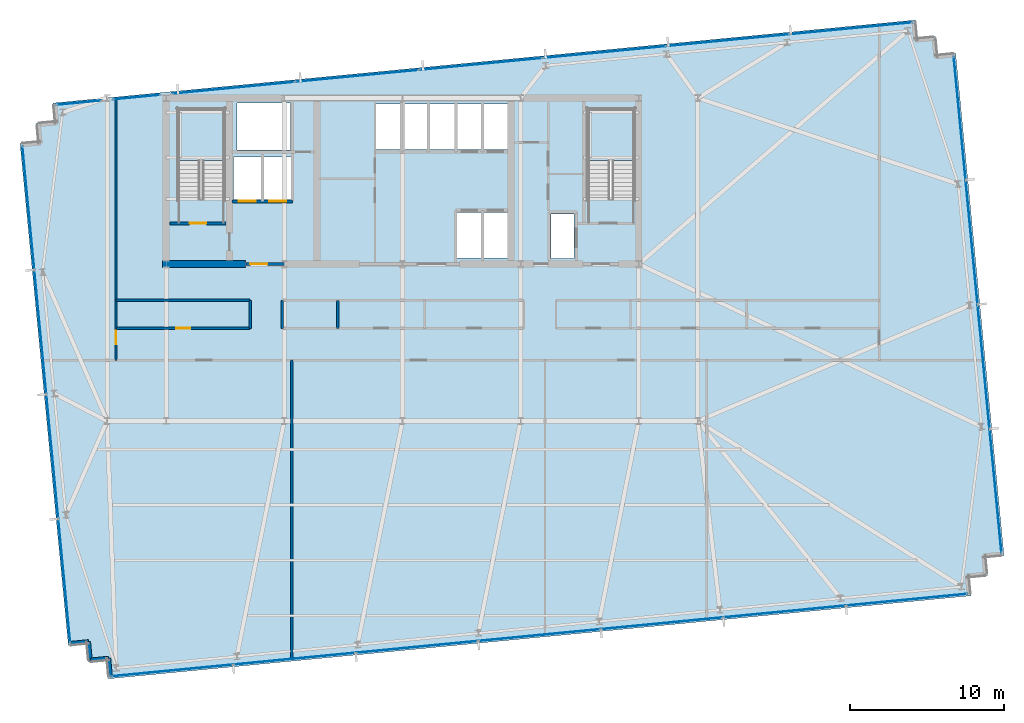
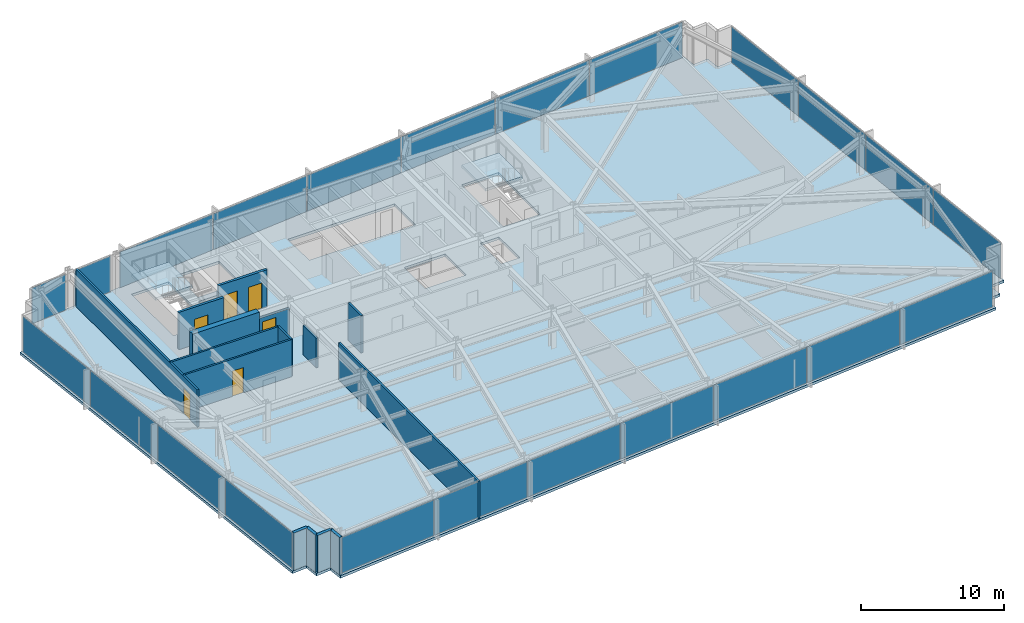
# One storey, part 24 of 32: 23 plates, 15 walls, 6 doors, 3 slabs, 6 openings, 8 elements without a shape of their own.
"""IFC4 building model written with IfcOpenShell, lengths in metres."""

import ifcopenshell
import ifcopenshell.guid

model = None  # the IFC model being written
_history = None  # IfcOwnerHistory: only IFC2X3 demands one
_inside = {}  # id of a spatial element -> (the spatial element, [elements in it])
_under = {}  # id of a project, library or spatial element -> (it, [spatial elements below it])
_declared = {}  # id of a project -> (the project, [libraries it declares])
_typed = {}  # id of a type object -> (the type object, [elements of that type])
_made_of = {}  # id of a material, layer set ... -> (it, [elements and type objects made of it])


def new_model(schema):
    """Start an empty IFC model of exactly this schema.

    Asked for "IFC4X3", IfcOpenShell would pick the latest addendum, in which some entities
    have other attributes; the version numbers below select the first issue.
    IFC2X3 requires an IfcOwnerHistory on every rooted entity: one is made here for all.
    """
    global model, _history
    if schema == "IFC4X3":
        model = ifcopenshell.file(schema_version=(4, 3, 0, 0))
    else:
        model = ifcopenshell.file(schema=schema)
    _inside.clear()
    _under.clear()
    _declared.clear()
    _typed.clear()
    _made_of.clear()
    _history = None
    if model.schema == "IFC2X3":
        org = make("IfcOrganization", Name="unknown")
        user = make(
            "IfcPersonAndOrganization",
            ThePerson=make("IfcPerson", FamilyName="unknown"),
            TheOrganization=org,
        )
        app = make(
            "IfcApplication",
            ApplicationDeveloper=org,
            Version="unknown",
            ApplicationFullName="unknown",
            ApplicationIdentifier="unknown",
        )
        _history = make(
            "IfcOwnerHistory",
            OwningUser=user,
            OwningApplication=app,
            ChangeAction="ADDED",
            CreationDate=0,
        )
    return model


def make(cls, **values):
    """One entity of the class cls with the attributes given. An attribute that is None is left unset."""
    return model.create_entity(
        cls, **{name: value for name, value in values.items() if value is not None}
    )


def rooted(cls, **values):
    """An entity with a GlobalId (a new one), such as an element, a storey or a relation."""
    return make(cls, GlobalId=ifcopenshell.guid.new(), OwnerHistory=_history, **values)


def si_unit(unit_type, name, prefix=None):
    """IfcSIUnit, for example si_unit("LENGTHUNIT", "METRE", prefix="MILLI")."""
    return make("IfcSIUnit", UnitType=unit_type, Prefix=prefix, Name=name)


def assignment(units):
    """IfcUnitAssignment: the units of a project."""
    return None if units is None else make("IfcUnitAssignment", Units=units)


def point(xyz):
    """IfcCartesianPoint."""
    return None if xyz is None else make("IfcCartesianPoint", Coordinates=xyz)


def direction(xyz):
    """IfcDirection."""
    return None if xyz is None else make("IfcDirection", DirectionRatios=xyz)


def frame(location, z_axis=None, x_axis=None):
    """IfcAxis2Placement3D, a coordinate frame: its origin and axes. An axis left out is left unset."""
    return make(
        "IfcAxis2Placement3D",
        Location=point(location),
        Axis=direction(z_axis),
        RefDirection=direction(x_axis),
    )


def frame_2d(location, x_axis=None):
    """IfcAxis2Placement2D, a coordinate frame in the plane: its origin and x axis."""
    return make(
        "IfcAxis2Placement2D", Location=point(location), RefDirection=direction(x_axis)
    )


def origin():
    """The frame at (0, 0, 0) with its axes left unset."""
    return frame((0.0, 0.0, 0.0))


def origin_2d():
    """The frame at (0, 0) in the plane with its x axis left unset."""
    return frame_2d((0.0, 0.0))


def place(relative_to, where):
    """IfcLocalPlacement: puts the frame where relative to a parent placement (None: the world)."""
    return make(
        "IfcLocalPlacement", PlacementRelTo=relative_to, RelativePlacement=where
    )


def context(
    kind, dimensions, precision=None, world=None, true_north=None, identifier=None
):
    """IfcGeometricRepresentationContext, for example the 3D "Model" context."""
    return make(
        "IfcGeometricRepresentationContext",
        ContextIdentifier=identifier,
        ContextType=kind,
        CoordinateSpaceDimension=dimensions,
        Precision=precision,
        WorldCoordinateSystem=world,
        TrueNorth=true_north,
    )


def subcontext(parent, identifier, kind, view, scale=None):
    """IfcGeometricRepresentationSubContext, for example "Body" below "Model"."""
    return make(
        "IfcGeometricRepresentationSubContext",
        ContextIdentifier=identifier,
        ContextType=kind,
        ParentContext=parent,
        TargetScale=scale,
        TargetView=view,
    )


def project(units=None, contexts=None):
    """IfcProject with its units and contexts."""
    return rooted(
        "IfcProject",
        Name="project",
        RepresentationContexts=contexts,
        UnitsInContext=assignment(units),
    )


def spatial(cls, under=None, at=None, **own):
    """A site, building, storey or space (cls), placed at a placement, below another one or the project."""
    s = rooted(cls, ObjectPlacement=at, **own)
    if under is not None:
        _under.setdefault(under.id(), (under, []))[1].append(s)
    return s


def polyline(points):
    """IfcPolyline through the points."""
    return make("IfcPolyline", Points=[point(p) for p in points])


def profile(cls, at=None, kind="AREA", **sizes):
    """A parametric profile (cls). Its sizes go by their IFC names, for example OverallWidth=200.0."""
    return make(cls, ProfileType=kind, Position=at, **sizes)


def rectangle(**sizes):
    """IfcRectangleProfileDef."""
    return profile("IfcRectangleProfileDef", **sizes)


def outline(outer, holes=None, kind="AREA"):
    """IfcArbitraryClosedProfileDef: a profile drawn as a closed curve; with holes, ...WithVoids."""
    if holes is None:
        return make("IfcArbitraryClosedProfileDef", ProfileType=kind, OuterCurve=outer)
    return make(
        "IfcArbitraryProfileDefWithVoids",
        ProfileType=kind,
        OuterCurve=outer,
        InnerCurves=holes,
    )


def extrude(swept, where, along, depth):
    """IfcExtrudedAreaSolid: the profile swept, set in the frame where, extruded along a direction by depth."""
    return make(
        "IfcExtrudedAreaSolid",
        SweptArea=swept,
        Position=where,
        ExtrudedDirection=direction(along),
        Depth=depth,
    )


def shape(context_of_items, identifier, shape_type, items):
    """IfcShapeRepresentation: the items that make up one representation, for example the "Body"."""
    return make(
        "IfcShapeRepresentation",
        ContextOfItems=context_of_items,
        RepresentationIdentifier=identifier,
        RepresentationType=shape_type,
        Items=items,
    )


def material(Name=None, Category=None):
    """IfcMaterial."""
    return make("IfcMaterial", Name=Name, Category=Category)


def layer(
    of_material, thickness, ventilated=None, Name=None, Category=None, Priority=None
):
    """IfcMaterialLayer: one layer of a wall or slab, of a material (None: an air gap)."""
    return make(
        "IfcMaterialLayer",
        Material=of_material,
        LayerThickness=thickness,
        IsVentilated=ventilated,
        Name=Name,
        Category=Category,
        Priority=Priority,
    )


def layer_set(layers, Name=None):
    """IfcMaterialLayerSet."""
    return make("IfcMaterialLayerSet", MaterialLayers=layers, LayerSetName=Name)


def made_of(thing, what):
    """Note that an element or type object is made of a material, layer set ...; save() writes the relation."""
    if what is not None:
        _made_of.setdefault(what.id(), (what, []))[1].append(thing)
    return thing


def type_object(cls, material=None, **own):
    """A type object (cls), such as IfcWallType, which elements share."""
    return made_of(rooted(cls, **own), material)


def element(
    cls,
    number,
    at=None,
    inside=None,
    cuts=None,
    type_object=None,
    material=None,
    context=None,
    identifier="Body",
    shape_type=None,
    held_by="IfcProductDefinitionShape",
    body=None,
    shapes=None,
    **own,
):
    """One element of the class cls, such as IfcWall. Its Tag is "e" and its number.

    at: its placement. inside: the storey or other place that contains it. cuts: it is an
    opening in that element (IfcRelVoidsElement). A single representation is given by context,
    identifier, shape_type and body (its items); several are given by shapes. held_by: the class
    of the entity that holds the representations. save() writes the other relations.
    """
    e = rooted(cls, Tag="e%d" % number, ObjectPlacement=at, **own)
    if body is not None:
        shapes = [shape(context, identifier, shape_type, body)]
    if shapes is not None:
        e.Representation = make(held_by, Representations=shapes)
    if inside is not None:
        _inside.setdefault(inside.id(), (inside, []))[1].append(e)
    if cuts is not None:
        rooted(
            "IfcRelVoidsElement", RelatingBuildingElement=cuts, RelatedOpeningElement=e
        )
    if type_object is not None:
        _typed.setdefault(type_object.id(), (type_object, []))[1].append(e)
    return made_of(e, material)


def fill(opening, filler):
    """IfcRelFillsElement: the door or window that sits in an opening."""
    return rooted(
        "IfcRelFillsElement",
        RelatingOpeningElement=opening,
        RelatedBuildingElement=filler,
    )


def aggregate(whole, parts):
    """IfcRelAggregates: a whole, such as a stair, and the parts it consists of."""
    return rooted("IfcRelAggregates", RelatingObject=whole, RelatedObjects=parts)


def save(model, path):
    """Write the relations noted so far, then the file.

    IfcRelAggregates (storeys below a building ...), IfcRelContainedInSpatialStructure (elements
    in a storey), IfcRelDefinesByType, IfcRelAssociatesMaterial and IfcRelDeclares: one each for
    every whole, place, type object, material and project.
    """
    for whole, parts in _under.values():
        aggregate(whole, parts)
    for where, things in _inside.values():
        rooted(
            "IfcRelContainedInSpatialStructure",
            RelatedElements=things,
            RelatingStructure=where,
        )
    for kind, things in _typed.values():
        rooted("IfcRelDefinesByType", RelatedObjects=things, RelatingType=kind)
    for what, things in _made_of.values():
        rooted("IfcRelAssociatesMaterial", RelatedObjects=things, RelatingMaterial=what)
    for by, libraries in _declared.values():
        rooted("IfcRelDeclares", RelatingContext=by, RelatedDefinitions=libraries)
    model.write(path)


model = new_model("IFC4")

# Units and contexts
model_context = context("Model", 3, precision=1e-05, world=origin(), true_north=direction((0.0, 1.0)))
body_context = subcontext(model_context, "Body", "Model", "MODEL_VIEW")
ifc_project = project(units=[si_unit("LENGTHUNIT", "METRE"), si_unit("AREAUNIT", "SQUARE_METRE"), si_unit("VOLUMEUNIT", "CUBIC_METRE"), si_unit("PLANEANGLEUNIT", "RADIAN"), si_unit("MASSUNIT", "GRAM", prefix="KILO")], contexts=[model_context])

# Site, building, storey
site_placement = place(None, origin())
site = spatial("IfcSite", under=ifc_project, at=site_placement, CompositionType="ELEMENT")
building_placement = place(site_placement, origin())
building = spatial("IfcBuilding", under=site, at=building_placement, Name="Yelkora Congress Tower", CompositionType="ELEMENT")
storey_placement = place(building_placement, frame((0.0, 0.0, 120.300048828125)))
storey = spatial("IfcBuildingStorey", under=building, at=storey_placement, Name="L32", CompositionType="ELEMENT", Elevation=120.300048828125)

# Curtain wall, plates
ifc_material_1 = material(Name="Anodised aluminium and insulated glass", Category="aluminium")
curtain_wall_type = type_object("IfcCurtainWallType", Name="CW-SYS-B2", PredefinedType="NOTDEFINED", material=ifc_material_1)
curtain_wall_1_placement = place(storey_placement, origin())
curtain_wall_1 = element("IfcCurtainWall", 1, at=curtain_wall_1_placement, inside=storey, type_object=curtain_wall_type, Name="L32 Unitised Curtain Wall 5", PredefinedType="NOTDEFINED")
ifc_material_2 = material(Name="Solar-control low-E glass unit B2", Category="glass")
ifc_layer_1 = layer(ifc_material_2, 0.0380859375)
ifc_layer_set_1 = layer_set([ifc_layer_1], Name="Solar-control low-E glass unit B2")
plate_type = type_object("IfcPlateType", Name="PLT-PN-B2", PredefinedType="CURTAIN_PANEL", material=ifc_layer_set_1)
plate_1_placement = place(storey_placement, frame((16.41650390625, 14.820068359375, 0.06494140625), z_axis=(0.0, 0.0, 1.0), x_axis=(-0.095842541913, 0.995396507508, 0.0)))
plate_1 = element("IfcPlate", 2, at=plate_1_placement, type_object=plate_type, Name="CW-B2 panel 1.1", PredefinedType="CURTAIN_PANEL", context=body_context, shape_type="SweptSolid", body=[
    extrude(rectangle(XDim=8.02490234375, YDim=0.0380859375, at=origin_2d()), origin(), (0.0, 0.0, 1.0), 3.050048828125),
])
plate_2_placement = place(storey_placement, frame((15.638916015625, 22.895263671875, 0.06494140625), z_axis=(0.0, 0.0, 1.0), x_axis=(-0.095842541913, 0.995396507508, 0.0)))
plate_2 = element("IfcPlate", 3, at=plate_2_placement, type_object=plate_type, Name="CW-B2 panel 2.1", PredefinedType="CURTAIN_PANEL", context=body_context, shape_type="SweptSolid", body=[
    extrude(rectangle(XDim=8.06005859375, YDim=0.0380859375, at=origin_2d()), origin(), (0.0, 0.0, 1.0), 3.050048828125),
])
plate_3_placement = place(storey_placement, frame((14.859619140625, 30.98779296875, 0.06494140625), z_axis=(0.0, 0.0, 1.0), x_axis=(-0.095842541913, 0.995396507508, 0.0)))
plate_3 = element("IfcPlate", 4, at=plate_3_placement, type_object=plate_type, Name="CW-B2 panel 3.1", PredefinedType="CURTAIN_PANEL", context=body_context, shape_type="SweptSolid", body=[
    extrude(rectangle(XDim=8.06005859375, YDim=0.0380859375, at=origin_2d()), origin(), (0.0, 0.0, 1.0), 3.050048828125),
])
plate_4_placement = place(storey_placement, frame((14.082275390625, 39.06298828125, 0.06494140625), z_axis=(0.0, 0.0, 1.0), x_axis=(-0.095842541913, 0.995396507508, 0.0)))
plate_4 = element("IfcPlate", 5, at=plate_4_placement, type_object=plate_type, Name="CW-B2 panel 4.1", PredefinedType="CURTAIN_PANEL", context=body_context, shape_type="SweptSolid", body=[
    extrude(rectangle(XDim=8.02490234375, YDim=0.0380859375, at=origin_2d()), origin(), (0.0, 0.0, 1.0), 3.050048828125),
])
aggregate(curtain_wall_1, [plate_1, plate_2, plate_3, plate_4])

# Curtain wall, plate
curtain_wall_2_placement = place(storey_placement, origin())
curtain_wall_2 = element("IfcCurtainWall", 6, at=curtain_wall_2_placement, inside=storey, type_object=curtain_wall_type, Name="L32 Unitised Curtain Wall 10 (1)", PredefinedType="NOTDEFINED")
plate_5_placement = place(storey_placement, frame((17.35888671875, 45.89111328125, 0.06494140625), z_axis=(0.0, 0.0, 1.0), x_axis=(0.99539681521, 0.095839346142, 0.0)))
plate_5 = element("IfcPlate", 7, at=plate_5_placement, type_object=plate_type, Name="CW-B2 panel 1.1", PredefinedType="CURTAIN_PANEL", context=body_context, shape_type="SweptSolid", body=[
    extrude(rectangle(XDim=2.89208984375, YDim=0.0380859375, at=origin_2d()), origin(), (0.0, 0.0, 1.0), 3.050048828125),
])
aggregate(curtain_wall_2, [plate_5])

curtain_wall_3_placement = place(storey_placement, origin())
curtain_wall_3 = element("IfcCurtainWall", 8, at=curtain_wall_3_placement, inside=storey, type_object=curtain_wall_type, Name="L32 Unitised Curtain Wall 10 (2)", PredefinedType="NOTDEFINED")
plate_6_placement = place(storey_placement, frame((21.1201171875, 46.253173828125, 0.06494140625), z_axis=(0.0, 0.0, 1.0), x_axis=(0.99539661748, 0.095841399764, 0.0)))
plate_6 = element("IfcPlate", 9, at=plate_6_placement, type_object=plate_type, Name="CW-B2 panel 1.1", PredefinedType="CURTAIN_PANEL", context=body_context, shape_type="SweptSolid", body=[
    extrude(rectangle(XDim=3.05078125, YDim=0.0380859375, at=origin_2d()), origin(), (0.0, 0.0, 1.0), 3.050048828125),
])
aggregate(curtain_wall_3, [plate_6])

# Curtain wall, plates
curtain_wall_4_placement = place(storey_placement, origin())
curtain_wall_4 = element("IfcCurtainWall", 10, at=curtain_wall_4_placement, inside=storey, type_object=curtain_wall_type, Name="L32 Unitised Curtain Wall 10 (3)", PredefinedType="NOTDEFINED")
plate_7_placement = place(storey_placement, frame((27.409423828125, 46.858642578125, 0.06494140625), z_axis=(0.0, 0.0, 1.0), x_axis=(0.995396344153, 0.095844238468, 0.0)))
plate_7 = element("IfcPlate", 11, at=plate_7_placement, type_object=plate_type, Name="CW-B2 panel 1.1", PredefinedType="CURTAIN_PANEL", context=body_context, shape_type="SweptSolid", body=[
    extrude(rectangle(XDim=7.97216796875, YDim=0.0380859375, at=origin_2d()), origin(), (0.0, 0.0, 1.0), 3.050048828125),
])
plate_8_placement = place(storey_placement, frame((35.431884765625, 47.631103515625, 0.06494140625), z_axis=(0.0, 0.0, 1.0), x_axis=(0.995396344153, 0.095844238468, 0.0)))
plate_8 = element("IfcPlate", 12, at=plate_8_placement, type_object=plate_type, Name="CW-B2 panel 2.1", PredefinedType="CURTAIN_PANEL", context=body_context, shape_type="SweptSolid", body=[
    extrude(rectangle(XDim=8.007080078125, YDim=0.0380859375, at=origin_2d()), origin(), (0.0, 0.0, 1.0), 3.050048828125),
])
plate_9_placement = place(storey_placement, frame((43.471923828125, 48.4052734375, 0.06494140625), z_axis=(0.0, 0.0, 1.0), x_axis=(0.995396344153, 0.095844238468, 0.0)))
plate_9 = element("IfcPlate", 13, at=plate_9_placement, type_object=plate_type, Name="CW-B2 panel 3.1", PredefinedType="CURTAIN_PANEL", context=body_context, shape_type="SweptSolid", body=[
    extrude(rectangle(XDim=8.007080078125, YDim=0.0380859375, at=origin_2d()), origin(), (0.0, 0.0, 1.0), 3.050048828125),
])
plate_10_placement = place(storey_placement, frame((51.511962890625, 49.179443359375, 0.06494140625), z_axis=(0.0, 0.0, 1.0), x_axis=(0.995396344153, 0.095844238468, 0.0)))
plate_10 = element("IfcPlate", 14, at=plate_10_placement, type_object=plate_type, Name="CW-B2 panel 4.1", PredefinedType="CURTAIN_PANEL", context=body_context, shape_type="SweptSolid", body=[
    extrude(rectangle(XDim=8.007080078125, YDim=0.0380859375, at=origin_2d()), origin(), (0.0, 0.0, 1.0), 3.050048828125),
])
plate_11_placement = place(storey_placement, frame((59.552001953125, 49.95361328125, 0.06494140625), z_axis=(0.0, 0.0, 1.0), x_axis=(0.995396344153, 0.095844238468, 0.0)))
plate_11 = element("IfcPlate", 15, at=plate_11_placement, type_object=plate_type, Name="CW-B2 panel 5.1", PredefinedType="CURTAIN_PANEL", context=body_context, shape_type="SweptSolid", body=[
    extrude(rectangle(XDim=8.007080078125, YDim=0.0380859375, at=origin_2d()), origin(), (0.0, 0.0, 1.0), 3.050048828125),
])
plate_12_placement = place(storey_placement, frame((67.574462890625, 50.72607421875, 0.06494140625), z_axis=(0.0, 0.0, 1.0), x_axis=(0.995396344153, 0.095844238468, 0.0)))
plate_12 = element("IfcPlate", 16, at=plate_12_placement, type_object=plate_type, Name="CW-B2 panel 6.1", PredefinedType="CURTAIN_PANEL", context=body_context, shape_type="SweptSolid", body=[
    extrude(rectangle(XDim=7.97216796875, YDim=0.0380859375, at=origin_2d()), origin(), (0.0, 0.0, 1.0), 3.050048828125),
])
aggregate(curtain_wall_4, [plate_7, plate_8, plate_9, plate_10, plate_11, plate_12])

curtain_wall_5_placement = place(storey_placement, origin())
curtain_wall_5 = element("IfcCurtainWall", 17, at=curtain_wall_5_placement, inside=storey, type_object=curtain_wall_type, Name="L32 Unitised Curtain Wall 15", PredefinedType="NOTDEFINED")
plate_13_placement = place(storey_placement, frame((74.6220703125, 44.892333984375, 0.06494140625), z_axis=(0.0, 0.0, 1.0), x_axis=(0.095842541913, -0.995396507508, 0.0)))
plate_13 = element("IfcPlate", 18, at=plate_13_placement, type_object=plate_type, Name="CW-B2 panel 1.1", PredefinedType="CURTAIN_PANEL", context=body_context, shape_type="SweptSolid", body=[
    extrude(rectangle(XDim=8.02490234375, YDim=0.0380859375, at=origin_2d()), origin(), (0.0, 0.0, 1.0), 3.050048828125),
])
plate_14_placement = place(storey_placement, frame((75.399658203125, 36.817138671875, 0.06494140625), z_axis=(0.0, 0.0, 1.0), x_axis=(0.095842541913, -0.995396507508, 0.0)))
plate_14 = element("IfcPlate", 19, at=plate_14_placement, type_object=plate_type, Name="CW-B2 panel 2.1", PredefinedType="CURTAIN_PANEL", context=body_context, shape_type="SweptSolid", body=[
    extrude(rectangle(XDim=8.06005859375, YDim=0.0380859375, at=origin_2d()), origin(), (0.0, 0.0, 1.0), 3.050048828125),
])
plate_15_placement = place(storey_placement, frame((76.178955078125, 28.724609375, 0.06494140625), z_axis=(0.0, 0.0, 1.0), x_axis=(0.095842541913, -0.995396507508, 0.0)))
plate_15 = element("IfcPlate", 20, at=plate_15_placement, type_object=plate_type, Name="CW-B2 panel 3.1", PredefinedType="CURTAIN_PANEL", context=body_context, shape_type="SweptSolid", body=[
    extrude(rectangle(XDim=8.06005859375, YDim=0.0380859375, at=origin_2d()), origin(), (0.0, 0.0, 1.0), 3.050048828125),
])
plate_16_placement = place(storey_placement, frame((76.95654296875, 20.6494140625, 0.06494140625), z_axis=(0.0, 0.0, 1.0), x_axis=(0.095842541913, -0.995396507508, 0.0)))
plate_16 = element("IfcPlate", 21, at=plate_16_placement, type_object=plate_type, Name="CW-B2 panel 4.1", PredefinedType="CURTAIN_PANEL", context=body_context, shape_type="SweptSolid", body=[
    extrude(rectangle(XDim=8.02490234375, YDim=0.0380859375, at=origin_2d()), origin(), (0.0, 0.0, 1.0), 3.050048828125),
])
aggregate(curtain_wall_5, [plate_13, plate_14, plate_15, plate_16])

curtain_wall_6_placement = place(storey_placement, origin())
curtain_wall_6 = element("IfcCurtainWall", 22, at=curtain_wall_6_placement, inside=storey, type_object=curtain_wall_type, Name="L32 Unitised Curtain Wall 20", PredefinedType="NOTDEFINED")
plate_17_placement = place(storey_placement, frame((71.1884765625, 13.58154296875, 0.06494140625), z_axis=(0.0, 0.0, 1.0), x_axis=(-0.995396333816, -0.095844345816, 0.0)))
plate_17 = element("IfcPlate", 23, at=plate_17_placement, type_object=plate_type, Name="CW-B2 panel 1.1", PredefinedType="CURTAIN_PANEL", context=body_context, shape_type="SweptSolid", body=[
    extrude(rectangle(XDim=7.89794921875, YDim=0.0380859375, at=origin_2d()), origin(), (0.0, 0.0, 1.0), 3.050048828125),
])
plate_18_placement = place(storey_placement, frame((63.23974609375, 12.816162109375, 0.06494140625), z_axis=(0.0, 0.0, 1.0), x_axis=(-0.995396333816, -0.095844345816, 0.0)))
plate_18 = element("IfcPlate", 24, at=plate_18_placement, type_object=plate_type, Name="CW-B2 panel 2.1", PredefinedType="CURTAIN_PANEL", context=body_context, shape_type="SweptSolid", body=[
    extrude(rectangle(XDim=7.932861328125, YDim=0.0380859375, at=origin_2d()), origin(), (0.0, 0.0, 1.0), 3.050048828125),
])
plate_19_placement = place(storey_placement, frame((55.273681640625, 12.049072265625, 0.06494140625), z_axis=(0.0, 0.0, 1.0), x_axis=(-0.995396333816, -0.095844345816, 0.0)))
plate_19 = element("IfcPlate", 25, at=plate_19_placement, type_object=plate_type, Name="CW-B2 panel 3.1", PredefinedType="CURTAIN_PANEL", context=body_context, shape_type="SweptSolid", body=[
    extrude(rectangle(XDim=7.932861328125, YDim=0.0380859375, at=origin_2d()), origin(), (0.0, 0.0, 1.0), 3.050048828125),
])
plate_20_placement = place(storey_placement, frame((47.307861328125, 11.281982421875, 0.06494140625), z_axis=(0.0, 0.0, 1.0), x_axis=(-0.995396333816, -0.095844345816, 0.0)))
plate_20 = element("IfcPlate", 26, at=plate_20_placement, type_object=plate_type, Name="CW-B2 panel 4.1", PredefinedType="CURTAIN_PANEL", context=body_context, shape_type="SweptSolid", body=[
    extrude(rectangle(XDim=7.932861328125, YDim=0.0380859375, at=origin_2d()), origin(), (0.0, 0.0, 1.0), 3.050048828125),
])
plate_21_placement = place(storey_placement, frame((39.341796875, 10.51513671875, 0.06494140625), z_axis=(0.0, 0.0, 1.0), x_axis=(-0.995396333816, -0.095844345816, 0.0)))
plate_21 = element("IfcPlate", 27, at=plate_21_placement, type_object=plate_type, Name="CW-B2 panel 5.1", PredefinedType="CURTAIN_PANEL", context=body_context, shape_type="SweptSolid", body=[
    extrude(rectangle(XDim=7.932861328125, YDim=0.0380859375, at=origin_2d()), origin(), (0.0, 0.0, 1.0), 3.050048828125),
])
plate_22_placement = place(storey_placement, frame((31.375732421875, 9.748046875, 0.06494140625), z_axis=(0.0, 0.0, 1.0), x_axis=(-0.995396333816, -0.095844345816, 0.0)))
plate_22 = element("IfcPlate", 28, at=plate_22_placement, type_object=plate_type, Name="CW-B2 panel 6.1", PredefinedType="CURTAIN_PANEL", context=body_context, shape_type="SweptSolid", body=[
    extrude(rectangle(XDim=7.932861328125, YDim=0.0380859375, at=origin_2d()), origin(), (0.0, 0.0, 1.0), 3.050048828125),
])
plate_23_placement = place(storey_placement, frame((23.42724609375, 8.982666015625, 0.06494140625), z_axis=(0.0, 0.0, 1.0), x_axis=(-0.995396333816, -0.095844345816, 0.0)))
plate_23 = element("IfcPlate", 29, at=plate_23_placement, type_object=plate_type, Name="CW-B2 panel 7.1", PredefinedType="CURTAIN_PANEL", context=body_context, shape_type="SweptSolid", body=[
    extrude(rectangle(XDim=7.89794921875, YDim=0.0380859375, at=origin_2d()), origin(), (0.0, 0.0, 1.0), 3.050048828125),
])
aggregate(curtain_wall_6, [plate_17, plate_18, plate_19, plate_20, plate_21, plate_22, plate_23])

# Stair, slab
ifc_material_3 = material(Name="Concrete C40/50", Category="concrete")
stair_type = type_object("IfcStairType", Name="STAIR-HT-1420-R20-170", PredefinedType="HALF_TURN_STAIR", material=ifc_material_3)
stair_1_placement = place(storey_placement, origin())
stair_1 = element("IfcStair", 30, at=stair_1_placement, inside=storey, type_object=stair_type, Name="West Core Protected Exit Stair ST-01 (L32)", PredefinedType="HALF_TURN_STAIR")
ifc_layer_2 = layer(ifc_material_3, 0.219970703125)
ifc_layer_set_2 = layer_set([ifc_layer_2], Name="Concrete C40/50")
slab_type_1 = type_object("IfcSlabType", Name="SLAB-LANDING-220", PredefinedType="LANDING", material=ifc_layer_set_2)
slab_1_placement = place(storey_placement, frame((0.0, 0.0, 1.47998046875)))
slab_1 = element("IfcSlab", 31, at=slab_1_placement, type_object=slab_type_1, Name="ST-01 L32 Half Landing 1", PredefinedType="LANDING", context=body_context, shape_type="SweptSolid", body=[
    extrude(outline(polyline([(26.820068359375, 42.1201171875), (26.820068359375, 45.469970703125), (23.820068359375, 45.469970703125), (23.820068359375, 42.1201171875), (26.820068359375, 42.1201171875)])), origin(), (0.0, 0.0, 1.0), 0.219970703125),
])
aggregate(stair_1, [slab_1])

stair_2_placement = place(storey_placement, origin())
stair_2 = element("IfcStair", 32, at=stair_2_placement, inside=storey, type_object=stair_type, Name="East Core Protected Exit Stair ST-02 (L32)", PredefinedType="HALF_TURN_STAIR")
slab_2_placement = place(storey_placement, frame((0.0, 0.0, 1.47998046875)))
slab_2 = element("IfcSlab", 33, at=slab_2_placement, type_object=slab_type_1, Name="ST-02 L32 Half Landing 1", PredefinedType="LANDING", context=body_context, shape_type="SweptSolid", body=[
    extrude(outline(polyline([(53.4599609375, 42.1201171875), (53.4599609375, 45.469970703125), (50.4599609375, 45.469970703125), (50.4599609375, 42.1201171875), (53.4599609375, 42.1201171875)])), origin(), (0.0, 0.0, 1.0), 0.219970703125),
])
aggregate(stair_2, [slab_2])

# Slab
ifc_layer_3 = layer(ifc_material_3, 0.219970703125)
ifc_layer_set_3 = layer_set([ifc_layer_3], Name="Concrete C40/50")
slab_type_2 = type_object("IfcSlabType", Name="SLAB-TWR-220", PredefinedType="FLOOR", material=ifc_layer_set_3)
slab_3_placement = place(storey_placement, frame((0.0, 0.0, -0.219970703125)))
element("IfcSlab", 34, at=slab_3_placement, inside=storey, type_object=slab_type_2, Name="L32 Structural Floor Slab", PredefinedType="FLOOR", context=body_context, shape_type="SweptSolid", body=[
    extrude(outline(polyline([(19.30078125, 8.444580078125), (75.341552734375, 13.8408203125), (75.2265625, 15.035400390625), (76.421142578125, 15.150390625), (76.30615234375, 16.3447265625), (77.50048828125, 16.459716796875), (74.356689453125, 49.10888671875), (73.162353515625, 48.99365234375), (73.04736328125, 50.188232421875), (71.852783203125, 50.0732421875), (71.73779296875, 51.267578125), (15.697021484375, 45.87158203125), (15.81201171875, 44.677001953125), (14.61767578125, 44.56201171875), (14.732666015625, 43.36767578125), (13.5380859375, 43.252685546875), (16.681884765625, 10.603515625), (17.876220703125, 10.718505859375), (17.9912109375, 9.524169921875), (19.185791015625, 9.63916015625), (19.30078125, 8.444580078125)]), holes=[polyline([(23.820068359375, 39.6298828125), (26.820068359375, 39.6298828125), (26.820068359375, 45.469970703125), (23.820068359375, 45.469970703125), (23.820068359375, 39.6298828125)]), polyline([(50.4599609375, 39.6298828125), (53.4599609375, 39.6298828125), (53.4599609375, 45.469970703125), (50.4599609375, 45.469970703125), (50.4599609375, 39.6298828125)]), polyline([(48.050048828125, 35.75), (49.550048828125, 35.75), (49.550048828125, 38.64990234375), (48.050048828125, 38.64990234375), (48.050048828125, 35.75)]), polyline([(36.64990234375, 42.85009765625), (45.25, 42.85009765625), (45.25, 45.800048828125), (36.64990234375, 45.800048828125), (36.64990234375, 42.85009765625)]), polyline([(41.949951171875, 35.800048828125), (45.25, 35.800048828125), (45.25, 38.75), (41.949951171875, 38.75), (41.949951171875, 35.800048828125)]), polyline([(27.419921875, 39.60009765625), (31.179931640625, 39.60009765625), (31.179931640625, 42.35009765625), (27.419921875, 42.35009765625), (27.419921875, 39.60009765625)]), polyline([(27.64990234375, 42.820068359375), (31.1201171875, 42.820068359375), (31.1201171875, 45.8798828125), (27.64990234375, 45.8798828125), (27.64990234375, 42.820068359375)])]), origin(), (0.0, 0.0, 1.0), 0.219970703125),
])

# Walls
ifc_material_4 = material(Name="Concrete C60/75", Category="concrete")
ifc_layer_4 = layer(ifc_material_4, 0.449951171875)
ifc_layer_set_4 = layer_set([ifc_layer_4], Name="Concrete C60/75")
wall_type_1 = type_object("IfcWallType", Name="WALL-CORE-INT-450", PredefinedType="SHEAR", material=ifc_layer_set_4)
wall_1_placement = place(storey_placement, frame((22.81494140625, 35.39990234375, 0.0), z_axis=(0.0, 0.0, 1.0), x_axis=(1.0, 0.0, 0.0)))
element("IfcWall", 35, at=wall_1_placement, inside=storey, type_object=wall_type_1, Name="L32 Rear Core South-West Shear Wall", PredefinedType="SHEAR", context=body_context, shape_type="SweptSolid", body=[
    extrude(rectangle(XDim=5.385009765625, YDim=0.449951171875, at=frame_2d((2.6923828125, 0.0))), origin(), (0.0, 0.0, 1.0), 3.179931640625),
])
ifc_layer_5 = layer(ifc_material_3, 0.239990234375)
ifc_layer_set_5 = layer_set([ifc_layer_5], Name="Concrete C40/50")
wall_type_2 = type_object("IfcWallType", Name="WALL-EXT-LIMESTONE-240", PredefinedType="SOLIDWALL", material=ifc_layer_set_5)
for number, where, z_axis, x_axis, name in (
    (36, (19.4267578125, 8.597412109375, 0.0), (0.0, 0.0, 1.0), (-0.095817067274, 0.995398960025, 0.0), "L32 Serrated Corner Limestone Pier 1"),
    (37, (19.311767578125, 9.7919921875, 0.0), (0.0, 0.0, 1.0), (-0.995398960025, -0.095817067274, 0.0), "L32 Serrated Corner Limestone Pier 2"),
):
    element("IfcWall", number, at=place(storey_placement, frame(where, z_axis=z_axis, x_axis=x_axis)), inside=storey, type_object=wall_type_2, Name=name, PredefinedType="SOLIDWALL", context=body_context, shape_type="SweptSolid", body=[
        extrude(rectangle(XDim=1.2001953125, YDim=0.239990234375, at=frame_2d((0.60009765625, 0.0))), origin(), (0.0, 0.0, 1.0), 3.179931640625),
    ])
wall_2_placement = place(storey_placement, frame((18.1171875, 9.677001953125, 0.0), z_axis=(0.0, 0.0, 1.0), x_axis=(-0.095836473879, 0.995397091755, 0.0)))
element("IfcWall", 38, at=wall_2_placement, inside=storey, type_object=wall_type_2, Name="L32 Serrated Corner Limestone Pier 3", PredefinedType="SOLIDWALL", context=body_context, shape_type="SweptSolid", body=[
    extrude(rectangle(XDim=1.199951171875, YDim=0.239990234375, at=frame_2d((0.60009765625, 0.0))), origin(), (0.0, 0.0, 1.0), 3.179931640625),
])
wall_3_placement = place(storey_placement, frame((18.002197265625, 10.871337890625, 0.0), z_axis=(0.0, 0.0, 1.0), x_axis=(-0.995398960025, -0.095817067274, 0.0)))
element("IfcWall", 39, at=wall_3_placement, inside=storey, type_object=wall_type_2, Name="L32 Serrated Corner Limestone Pier 4", PredefinedType="SOLIDWALL", context=body_context, shape_type="SweptSolid", body=[
    extrude(rectangle(XDim=1.2001953125, YDim=0.239990234375, at=frame_2d((0.60009765625, 0.0))), origin(), (0.0, 0.0, 1.0), 3.179931640625),
])
ifc_material_5 = material(Name="Acoustic metal-stud gypsum partition", Category="gypsum")
ifc_layer_6 = layer(ifc_material_5, 0.14990234375)
ifc_layer_set_6 = layer_set([ifc_layer_6], Name="Acoustic metal-stud gypsum partition")
wall_type_3 = type_object("IfcWallType", Name="WALL-INT-150-NR", PredefinedType="PARTITIONING", material=ifc_layer_set_6)
wall_4_placement = place(storey_placement, frame((31.199951171875, 9.6708984375, 0.0), z_axis=(0.0, 0.0, 1.0), x_axis=(0.0, 1.0, 0.0)))
element("IfcWall", 40, at=wall_4_placement, inside=storey, type_object=wall_type_3, Name="L32 Partition Wall 27", PredefinedType="PARTITIONING", context=body_context, shape_type="SweptSolid", body=[
    extrude(rectangle(XDim=19.4990234375, YDim=0.14990234375, at=frame_2d((9.74951171875, 0.0))), origin(), (0.0, 0.0, 1.0), 3.179931640625),
])

# Wall, opening, door
wall_5_placement = place(storey_placement, frame((19.77587890625, 29.14990234375, 0.0), z_axis=(0.0, 0.0, 1.0), x_axis=(0.0, 1.0, 0.0)))
wall_5 = element("IfcWall", 41, at=wall_5_placement, inside=storey, type_object=wall_type_3, Name="L32 Partition Wall 31", PredefinedType="PARTITIONING", context=body_context, shape_type="SweptSolid", body=[
    extrude(rectangle(XDim=17.0341796875, YDim=0.14990234375, at=frame_2d((8.51708984375, 0.0))), origin(), (0.0, 0.0, 1.0), 3.179931640625),
])
opening_1_placement = place(wall_5_placement, frame((1.030029296875, 0.0, 0.0)))
opening_1 = element("IfcOpeningElement", 42, at=opening_1_placement, cuts=wall_5, Name="Opening DR-090N", PredefinedType="OPENING", context=body_context, shape_type="SweptSolid", body=[
    extrude(rectangle(XDim=0.89990234375, YDim=2.14990234375, at=frame_2d((0.449951171875, 1.074951171875))), frame((0.0, 0.0849609375, 0.0), z_axis=(0.0, -1.0, 0.0), x_axis=(1.0, 0.0, 0.0)), (0.0, 0.0, 1.0), 0.169921875),
])
ifc_material_6 = material(Name="Moisture-resistant laminate door leaf", Category="wood")
door_type_1 = type_object("IfcDoorType", Name="DOOR-INT-900", OperationType="NOTDEFINED", PredefinedType="DOOR", material=ifc_material_6)
door_1_placement = place(opening_1_placement, origin())
door_1 = element("IfcDoor", 43, at=door_1_placement, inside=storey, type_object=door_type_1, Name="L32 W Wing Door", OperationType="SINGLE_SWING_LEFT", OverallHeight=2.14990234375, OverallWidth=0.89990234375, PredefinedType="DOOR", context=body_context, shape_type="SweptSolid", body=[
    extrude(rectangle(XDim=0.89990234375, YDim=2.14990234375, at=frame_2d((0.449951171875, 1.074951171875))), frame((0.0, 0.02490234375, 0.0), z_axis=(0.0, -1.0, 0.0), x_axis=(1.0, 0.0, 0.0)), (0.0, 0.0, 1.0), 0.050048828125),
])
fill(opening_1, door_1)

# Walls
wall_6_placement = place(storey_placement, frame((28.5, 31.22998046875, 0.0), z_axis=(0.0, 0.0, 1.0), x_axis=(0.0, 1.0, 0.0)))
element("IfcWall", 44, at=wall_6_placement, inside=storey, type_object=wall_type_3, Name="L32 Partition Wall 33", PredefinedType="PARTITIONING", context=body_context, shape_type="SweptSolid", body=[
    extrude(rectangle(XDim=1.820068359375, YDim=0.14990234375, at=frame_2d((0.91015625, 0.0))), origin(), (0.0, 0.0, 1.0), 3.179931640625),
])
wall_7_placement = place(storey_placement, frame((30.580078125, 31.22998046875, 0.0), z_axis=(0.0, 0.0, 1.0), x_axis=(0.0, 1.0, 0.0)))
element("IfcWall", 45, at=wall_7_placement, inside=storey, type_object=wall_type_3, Name="L32 Partition Wall 34", PredefinedType="PARTITIONING", context=body_context, shape_type="SweptSolid", body=[
    extrude(rectangle(XDim=1.820068359375, YDim=0.14990234375, at=frame_2d((0.91015625, 0.0))), origin(), (0.0, 0.0, 1.0), 2.52490234375),
])
wall_8_placement = place(storey_placement, frame((19.77587890625, 33.050048828125, 0.0), z_axis=(0.0, 0.0, 1.0), x_axis=(1.0, 0.0, 0.0)))
element("IfcWall", 46, at=wall_8_placement, inside=storey, type_object=wall_type_3, Name="L32 Partition Wall 37", PredefinedType="PARTITIONING", context=body_context, shape_type="SweptSolid", body=[
    extrude(rectangle(XDim=8.72412109375, YDim=0.14990234375, at=frame_2d((4.362060546875, 0.0))), origin(), (0.0, 0.0, 1.0), 3.179931640625),
])

# Wall, opening, door
wall_9_placement = place(storey_placement, frame((19.7958984375, 31.22998046875, 0.0), z_axis=(0.0, 0.0, 1.0), x_axis=(1.0, 0.0, 0.0)))
wall_9 = element("IfcWall", 47, at=wall_9_placement, inside=storey, type_object=wall_type_3, Name="L32 Partition Wall 40", PredefinedType="PARTITIONING", context=body_context, shape_type="SweptSolid", body=[
    extrude(rectangle(XDim=8.694091796875, YDim=0.14990234375, at=frame_2d((4.34716796875, 0.0))), origin(), (0.0, 0.0, 1.0), 3.179931640625),
])
opening_2_placement = place(wall_9_placement, frame((3.89697265625, 0.0, 0.0)))
opening_2 = element("IfcOpeningElement", 48, at=opening_2_placement, cuts=wall_9, Name="Opening DR-090N", PredefinedType="OPENING", context=body_context, shape_type="SweptSolid", body=[
    extrude(rectangle(XDim=0.89990234375, YDim=2.14990234375, at=frame_2d((0.449951171875, 1.074951171875))), frame((0.0, 0.0849609375, 0.0), z_axis=(0.0, -1.0, 0.0), x_axis=(1.0, 0.0, 0.0)), (0.0, 0.0, 1.0), 0.169921875),
])
door_2_placement = place(opening_2_placement, origin())
door_2 = element("IfcDoor", 49, at=door_2_placement, inside=storey, type_object=door_type_1, Name="L32 Security Control Room Door", OperationType="SINGLE_SWING_LEFT", OverallHeight=2.14990234375, OverallWidth=0.89990234375, PredefinedType="DOOR", context=body_context, shape_type="SweptSolid", body=[
    extrude(rectangle(XDim=0.89990234375, YDim=2.14990234375, at=frame_2d((0.449951171875, 1.074951171875))), frame((0.0, 0.02490234375, 0.0), z_axis=(0.0, -1.0, 0.0), x_axis=(1.0, 0.0, 0.0)), (0.0, 0.0, 1.0), 0.050048828125),
])
fill(opening_2, door_2)

# Wall
wall_10_placement = place(storey_placement, frame((34.200927734375, 31.22998046875, 0.0), z_axis=(0.0, 0.0, 1.0), x_axis=(0.0, 1.0, 0.0)))
element("IfcWall", 50, at=wall_10_placement, inside=storey, type_object=wall_type_3, Name="L32 Partition Wall 41", PredefinedType="PARTITIONING", context=body_context, shape_type="SweptSolid", body=[
    extrude(rectangle(XDim=1.820068359375, YDim=0.14990234375, at=frame_2d((0.91015625, 0.0))), origin(), (0.0, 0.0, 1.0), 3.179931640625),
])

# Wall, opening, door
ifc_material_7 = material(Name="Autoclaved aerated concrete blockwork", Category="masonry")
ifc_layer_7 = layer(ifc_material_7, 0.199951171875)
ifc_layer_set_7 = layer_set([ifc_layer_7], Name="Autoclaved aerated concrete blockwork")
wall_type_4 = type_object("IfcWallType", Name="WALL-INT-200-R120", PredefinedType="PARTITIONING", material=ifc_layer_set_7)
wall_11_placement = place(storey_placement, frame((23.300048828125, 38.050048828125, 0.0), z_axis=(0.0, 0.0, 1.0), x_axis=(1.0, 0.0, 0.0)))
wall_11 = element("IfcWall", 51, at=wall_11_placement, inside=storey, type_object=wall_type_4, Name="L32 Stair ST-01 Enclosure Wall", PredefinedType="PARTITIONING", context=body_context, shape_type="SweptSolid", body=[
    extrude(rectangle(XDim=3.619873046875, YDim=0.199951171875, at=frame_2d((1.81005859375, 0.0))), origin(), (0.0, 0.0, 1.0), 3.179931640625),
])
opening_3_placement = place(wall_11_placement, frame((1.260009765625, 0.0, 0.0)))
opening_3 = element("IfcOpeningElement", 52, at=opening_3_placement, cuts=wall_11, Name="Opening DR-110F9", PredefinedType="OPENING", context=body_context, shape_type="SweptSolid", body=[
    extrude(rectangle(XDim=1.10009765625, YDim=2.14990234375, at=frame_2d((0.550048828125, 1.074951171875))), frame((0.0, 0.10986328125, 0.0), z_axis=(0.0, -1.0, 0.0), x_axis=(1.0, 0.0, 0.0)), (0.0, 0.0, 1.0), 0.219970703125),
])
ifc_material_8 = material(Name="Galvanised steel fire door leaf", Category="steel")
door_type_2 = type_object("IfcDoorType", Name="DOOR-FD90-1100", OperationType="NOTDEFINED", PredefinedType="DOOR", material=ifc_material_8)
door_3_placement = place(opening_3_placement, origin())
door_3 = element("IfcDoor", 53, at=door_3_placement, inside=storey, type_object=door_type_2, Name="L32 Stair ST-01 Entry Door", OperationType="SINGLE_SWING_LEFT", OverallHeight=2.14990234375, OverallWidth=1.10009765625, PredefinedType="DOOR", context=body_context, shape_type="SweptSolid", body=[
    extrude(rectangle(XDim=1.10009765625, YDim=2.14990234375, at=frame_2d((0.550048828125, 1.074951171875))), frame((0.0, 0.02490234375, 0.0), z_axis=(0.0, -1.0, 0.0), x_axis=(1.0, 0.0, 0.0)), (0.0, 0.0, 1.0), 0.050048828125),
])
fill(opening_3, door_3)

wall_12_placement = place(storey_placement, frame((28.219970703125, 35.39990234375, 0.0), z_axis=(0.0, 0.0, 1.0), x_axis=(1.0, 0.0, 0.0)))
wall_12 = element("IfcWall", 54, at=wall_12_placement, inside=storey, type_object=wall_type_4, Name="L32 Firefighting Lobby South Wall", PredefinedType="PARTITIONING", context=body_context, shape_type="SweptSolid", body=[
    extrude(rectangle(XDim=2.5, YDim=0.199951171875, at=frame_2d((1.25, 0.0))), origin(), (0.0, 0.0, 1.0), 2.52490234375),
])
opening_4_placement = place(wall_12_placement, frame((0.300048828125, 0.0, 0.0)))
opening_4 = element("IfcOpeningElement", 55, at=opening_4_placement, cuts=wall_12, Name="Opening DR-110F9", PredefinedType="OPENING", context=body_context, shape_type="SweptSolid", body=[
    extrude(rectangle(XDim=1.10009765625, YDim=2.14990234375, at=frame_2d((0.550048828125, 1.074951171875))), frame((0.0, 0.10986328125, 0.0), z_axis=(0.0, -1.0, 0.0), x_axis=(1.0, 0.0, 0.0)), (0.0, 0.0, 1.0), 0.219970703125),
])
door_4_placement = place(opening_4_placement, origin())
door_4 = element("IfcDoor", 56, at=door_4_placement, inside=storey, type_object=door_type_2, Name="L32 Firefighting Lobby Corridor Door", OperationType="SINGLE_SWING_RIGHT", OverallHeight=2.14990234375, OverallWidth=1.10009765625, PredefinedType="DOOR", context=body_context, shape_type="SweptSolid", body=[
    extrude(rectangle(XDim=1.10009765625, YDim=2.14990234375, at=frame_2d((0.550048828125, 1.074951171875))), frame((0.0, 0.02490234375, 0.0), z_axis=(0.0, -1.0, 0.0), x_axis=(1.0, 0.0, 0.0)), (0.0, 0.0, 1.0), 0.050048828125),
])
fill(opening_4, door_4)

# Wall, openings, doors
wall_13_placement = place(storey_placement, frame((27.320068359375, 39.47998046875, 0.0), z_axis=(0.0, 0.0, 1.0), x_axis=(1.0, 0.0, 0.0)))
wall_13 = element("IfcWall", 57, at=wall_13_placement, inside=storey, type_object=wall_type_4, Name="L32 Firefighting Lift Front Wall", PredefinedType="PARTITIONING", context=body_context, shape_type="SweptSolid", body=[
    extrude(rectangle(XDim=3.93994140625, YDim=0.199951171875, at=frame_2d((1.969970703125, 0.0))), origin(), (0.0, 0.0, 1.0), 3.179931640625),
])
opening_5_placement = place(wall_13_placement, frame((0.449951171875, 0.0, 0.0)))
opening_5 = element("IfcOpeningElement", 58, at=opening_5_placement, cuts=wall_13, Name="Opening LD-FF11", PredefinedType="OPENING", context=body_context, shape_type="SweptSolid", body=[
    extrude(rectangle(XDim=1.10009765625, YDim=2.199951171875, at=frame_2d((0.550048828125, 1.10009765625))), frame((0.0, 0.10986328125, 0.0), z_axis=(0.0, -1.0, 0.0), x_axis=(1.0, 0.0, 0.0)), (0.0, 0.0, 1.0), 0.219970703125),
])
opening_6_placement = place(wall_13_placement, frame((2.409912109375, 0.0, 0.0)))
opening_6 = element("IfcOpeningElement", 59, at=opening_6_placement, cuts=wall_13, Name="Opening LD-FF11", PredefinedType="OPENING", context=body_context, shape_type="SweptSolid", body=[
    extrude(rectangle(XDim=1.10009765625, YDim=2.199951171875, at=frame_2d((0.550048828125, 1.10009765625))), frame((0.0, 0.10986328125, 0.0), z_axis=(0.0, -1.0, 0.0), x_axis=(1.0, 0.0, 0.0)), (0.0, 0.0, 1.0), 0.219970703125),
])
ifc_material_9 = material(Name="Brushed stainless steel 316L landing door", Category="steel")
door_type_3 = type_object("IfcDoorType", Name="DOOR-LIFT-FF-1100", OperationType="DOUBLE_DOOR_SLIDING", PredefinedType="DOOR", material=ifc_material_9)
door_5_placement = place(opening_5_placement, origin())
door_5 = element("IfcDoor", 60, at=door_5_placement, inside=storey, type_object=door_type_3, Name="Lift Landing Door LF-FF1 L32", OperationType="DOUBLE_DOOR_SLIDING", OverallHeight=2.199951171875, OverallWidth=1.10009765625, PredefinedType="DOOR", context=body_context, shape_type="SweptSolid", body=[
    extrude(rectangle(XDim=1.10009765625, YDim=2.199951171875, at=frame_2d((0.550048828125, 1.10009765625))), frame((0.0, 0.02490234375, 0.0), z_axis=(0.0, -1.0, 0.0), x_axis=(1.0, 0.0, 0.0)), (0.0, 0.0, 1.0), 0.050048828125),
])
fill(opening_5, door_5)
door_6_placement = place(opening_6_placement, origin())
door_6 = element("IfcDoor", 61, at=door_6_placement, inside=storey, type_object=door_type_3, Name="Lift Landing Door LF-FF2 L32", OperationType="DOUBLE_DOOR_SLIDING", OverallHeight=2.199951171875, OverallWidth=1.10009765625, PredefinedType="DOOR", context=body_context, shape_type="SweptSolid", body=[
    extrude(rectangle(XDim=1.10009765625, YDim=2.199951171875, at=frame_2d((0.550048828125, 1.10009765625))), frame((0.0, 0.02490234375, 0.0), z_axis=(0.0, -1.0, 0.0), x_axis=(1.0, 0.0, 0.0)), (0.0, 0.0, 1.0), 0.050048828125),
])
fill(opening_6, door_6)

save(model, "model.ifc")
